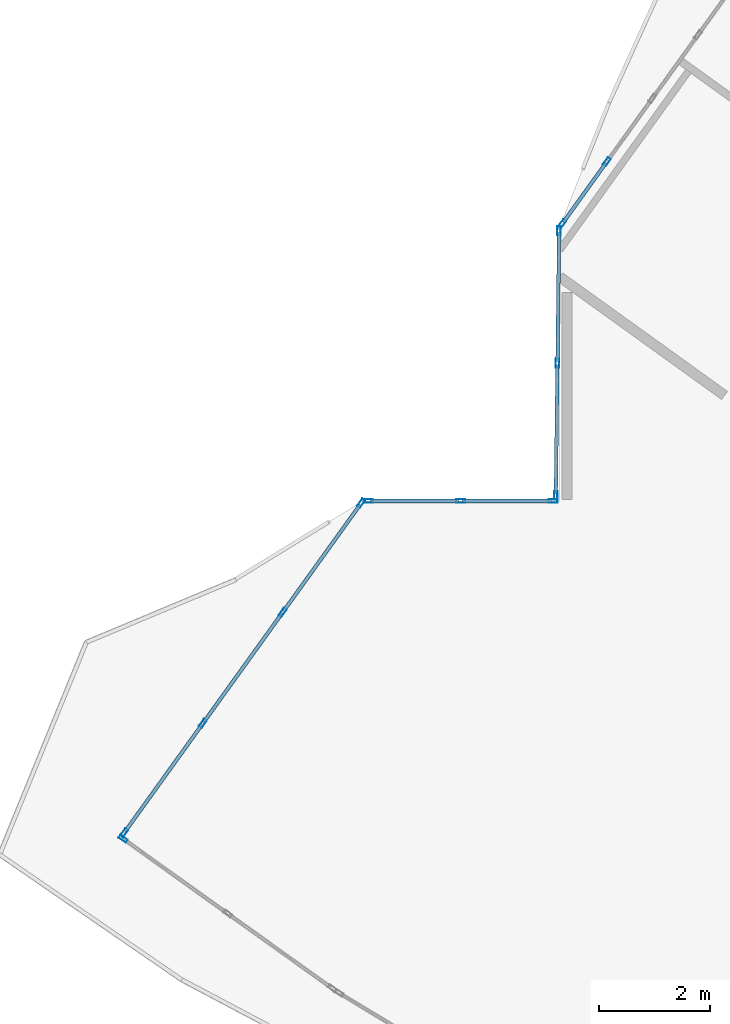
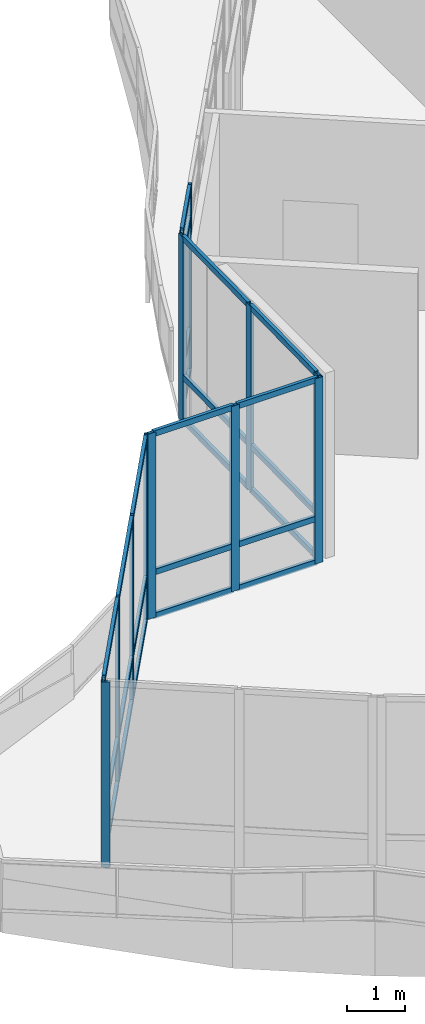
# One storey, part 16 of 184: 38 members, 5 elements without a shape of their own.
"""IFC4 building model written with IfcOpenShell, lengths in metres."""

import ifcopenshell
import ifcopenshell.guid

model = None  # the IFC model being written
_history = None  # IfcOwnerHistory: only IFC2X3 demands one
_inside = {}  # id of a spatial element -> (the spatial element, [elements in it])
_under = {}  # id of a project, library or spatial element -> (it, [spatial elements below it])
_declared = {}  # id of a project -> (the project, [libraries it declares])
_typed = {}  # id of a type object -> (the type object, [elements of that type])
_made_of = {}  # id of a material, layer set ... -> (it, [elements and type objects made of it])


def new_model(schema):
    """Start an empty IFC model of exactly this schema.

    Asked for "IFC4X3", IfcOpenShell would pick the latest addendum, in which some entities
    have other attributes; the version numbers below select the first issue.
    IFC2X3 requires an IfcOwnerHistory on every rooted entity: one is made here for all.
    """
    global model, _history
    if schema == "IFC4X3":
        model = ifcopenshell.file(schema_version=(4, 3, 0, 0))
    else:
        model = ifcopenshell.file(schema=schema)
    _inside.clear()
    _under.clear()
    _declared.clear()
    _typed.clear()
    _made_of.clear()
    _history = None
    if model.schema == "IFC2X3":
        org = make("IfcOrganization", Name="unknown")
        user = make(
            "IfcPersonAndOrganization",
            ThePerson=make("IfcPerson", FamilyName="unknown"),
            TheOrganization=org,
        )
        app = make(
            "IfcApplication",
            ApplicationDeveloper=org,
            Version="unknown",
            ApplicationFullName="unknown",
            ApplicationIdentifier="unknown",
        )
        _history = make(
            "IfcOwnerHistory",
            OwningUser=user,
            OwningApplication=app,
            ChangeAction="ADDED",
            CreationDate=0,
        )
    return model


def make(cls, **values):
    """One entity of the class cls with the attributes given. An attribute that is None is left unset."""
    return model.create_entity(
        cls, **{name: value for name, value in values.items() if value is not None}
    )


def rooted(cls, **values):
    """An entity with a GlobalId (a new one), such as an element, a storey or a relation."""
    return make(cls, GlobalId=ifcopenshell.guid.new(), OwnerHistory=_history, **values)


def si_unit(unit_type, name, prefix=None):
    """IfcSIUnit, for example si_unit("LENGTHUNIT", "METRE", prefix="MILLI")."""
    return make("IfcSIUnit", UnitType=unit_type, Prefix=prefix, Name=name)


def assignment(units):
    """IfcUnitAssignment: the units of a project."""
    return None if units is None else make("IfcUnitAssignment", Units=units)


def point(xyz):
    """IfcCartesianPoint."""
    return None if xyz is None else make("IfcCartesianPoint", Coordinates=xyz)


def direction(xyz):
    """IfcDirection."""
    return None if xyz is None else make("IfcDirection", DirectionRatios=xyz)


def frame(location, z_axis=None, x_axis=None):
    """IfcAxis2Placement3D, a coordinate frame: its origin and axes. An axis left out is left unset."""
    return make(
        "IfcAxis2Placement3D",
        Location=point(location),
        Axis=direction(z_axis),
        RefDirection=direction(x_axis),
    )


def frame_2d(location, x_axis=None):
    """IfcAxis2Placement2D, a coordinate frame in the plane: its origin and x axis."""
    return make(
        "IfcAxis2Placement2D", Location=point(location), RefDirection=direction(x_axis)
    )


def origin():
    """The frame at (0, 0, 0) with its axes left unset."""
    return frame((0.0, 0.0, 0.0))


def origin_2d():
    """The frame at (0, 0) in the plane with its x axis left unset."""
    return frame_2d((0.0, 0.0))


def place(relative_to, where):
    """IfcLocalPlacement: puts the frame where relative to a parent placement (None: the world)."""
    return make(
        "IfcLocalPlacement", PlacementRelTo=relative_to, RelativePlacement=where
    )


def context(
    kind, dimensions, precision=None, world=None, true_north=None, identifier=None
):
    """IfcGeometricRepresentationContext, for example the 3D "Model" context."""
    return make(
        "IfcGeometricRepresentationContext",
        ContextIdentifier=identifier,
        ContextType=kind,
        CoordinateSpaceDimension=dimensions,
        Precision=precision,
        WorldCoordinateSystem=world,
        TrueNorth=true_north,
    )


def subcontext(parent, identifier, kind, view, scale=None):
    """IfcGeometricRepresentationSubContext, for example "Body" below "Model"."""
    return make(
        "IfcGeometricRepresentationSubContext",
        ContextIdentifier=identifier,
        ContextType=kind,
        ParentContext=parent,
        TargetScale=scale,
        TargetView=view,
    )


def project(units=None, contexts=None):
    """IfcProject with its units and contexts."""
    return rooted(
        "IfcProject",
        Name="project",
        RepresentationContexts=contexts,
        UnitsInContext=assignment(units),
    )


def spatial(cls, under=None, at=None, **own):
    """A site, building, storey or space (cls), placed at a placement, below another one or the project."""
    s = rooted(cls, ObjectPlacement=at, **own)
    if under is not None:
        _under.setdefault(under.id(), (under, []))[1].append(s)
    return s


def profile(cls, at=None, kind="AREA", **sizes):
    """A parametric profile (cls). Its sizes go by their IFC names, for example OverallWidth=200.0."""
    return make(cls, ProfileType=kind, Position=at, **sizes)


def hollow_rectangle(**sizes):
    """IfcRectangleHollowProfileDef."""
    return profile("IfcRectangleHollowProfileDef", **sizes)


def extrude(swept, where, along, depth):
    """IfcExtrudedAreaSolid: the profile swept, set in the frame where, extruded along a direction by depth."""
    return make(
        "IfcExtrudedAreaSolid",
        SweptArea=swept,
        Position=where,
        ExtrudedDirection=direction(along),
        Depth=depth,
    )


def shape(context_of_items, identifier, shape_type, items):
    """IfcShapeRepresentation: the items that make up one representation, for example the "Body"."""
    return make(
        "IfcShapeRepresentation",
        ContextOfItems=context_of_items,
        RepresentationIdentifier=identifier,
        RepresentationType=shape_type,
        Items=items,
    )


def material(Name=None, Category=None):
    """IfcMaterial."""
    return make("IfcMaterial", Name=Name, Category=Category)


def material_profile(
    of_material, cross_section, Name=None, Category=None, Priority=None
):
    """IfcMaterialProfile: a cross section and its material."""
    return make(
        "IfcMaterialProfile",
        Name=Name,
        Material=of_material,
        Profile=cross_section,
        Priority=Priority,
        Category=Category,
    )


def profile_set(profiles, Name=None, composite=None):
    """IfcMaterialProfileSet."""
    return make(
        "IfcMaterialProfileSet",
        Name=Name,
        MaterialProfiles=profiles,
        CompositeProfile=composite,
    )


def made_of(thing, what):
    """Note that an element or type object is made of a material, layer set ...; save() writes the relation."""
    if what is not None:
        _made_of.setdefault(what.id(), (what, []))[1].append(thing)
    return thing


def type_object(cls, material=None, **own):
    """A type object (cls), such as IfcWallType, which elements share."""
    return made_of(rooted(cls, **own), material)


def element(
    cls,
    number,
    at=None,
    inside=None,
    cuts=None,
    type_object=None,
    material=None,
    context=None,
    identifier="Body",
    shape_type=None,
    held_by="IfcProductDefinitionShape",
    body=None,
    shapes=None,
    **own,
):
    """One element of the class cls, such as IfcWall. Its Tag is "e" and its number.

    at: its placement. inside: the storey or other place that contains it. cuts: it is an
    opening in that element (IfcRelVoidsElement). A single representation is given by context,
    identifier, shape_type and body (its items); several are given by shapes. held_by: the class
    of the entity that holds the representations. save() writes the other relations.
    """
    e = rooted(cls, Tag="e%d" % number, ObjectPlacement=at, **own)
    if body is not None:
        shapes = [shape(context, identifier, shape_type, body)]
    if shapes is not None:
        e.Representation = make(held_by, Representations=shapes)
    if inside is not None:
        _inside.setdefault(inside.id(), (inside, []))[1].append(e)
    if cuts is not None:
        rooted(
            "IfcRelVoidsElement", RelatingBuildingElement=cuts, RelatedOpeningElement=e
        )
    if type_object is not None:
        _typed.setdefault(type_object.id(), (type_object, []))[1].append(e)
    return made_of(e, material)


def aggregate(whole, parts):
    """IfcRelAggregates: a whole, such as a stair, and the parts it consists of."""
    return rooted("IfcRelAggregates", RelatingObject=whole, RelatedObjects=parts)


def save(model, path):
    """Write the relations noted so far, then the file.

    IfcRelAggregates (storeys below a building ...), IfcRelContainedInSpatialStructure (elements
    in a storey), IfcRelDefinesByType, IfcRelAssociatesMaterial and IfcRelDeclares: one each for
    every whole, place, type object, material and project.
    """
    for whole, parts in _under.values():
        aggregate(whole, parts)
    for where, things in _inside.values():
        rooted(
            "IfcRelContainedInSpatialStructure",
            RelatedElements=things,
            RelatingStructure=where,
        )
    for kind, things in _typed.values():
        rooted("IfcRelDefinesByType", RelatedObjects=things, RelatingType=kind)
    for what, things in _made_of.values():
        rooted("IfcRelAssociatesMaterial", RelatedObjects=things, RelatingMaterial=what)
    for by, libraries in _declared.values():
        rooted("IfcRelDeclares", RelatingContext=by, RelatedDefinitions=libraries)
    model.write(path)


model = new_model("IFC4")

# Units and contexts
model_context = context("Model", 3, precision=1e-05, world=origin(), true_north=direction((0.0, 1.0)))
body_context = subcontext(model_context, "Body", "Model", "MODEL_VIEW")
ifc_project = project(units=[si_unit("LENGTHUNIT", "METRE"), si_unit("AREAUNIT", "SQUARE_METRE"), si_unit("VOLUMEUNIT", "CUBIC_METRE"), si_unit("PLANEANGLEUNIT", "RADIAN"), si_unit("MASSUNIT", "GRAM", prefix="KILO")], contexts=[model_context])

# Site, building, storey
site_placement = place(None, origin())
site = spatial("IfcSite", under=ifc_project, at=site_placement, CompositionType="ELEMENT")
building_placement = place(site_placement, origin())
building = spatial("IfcBuilding", under=site, at=building_placement, Name="Selatvlak General Hospital", CompositionType="ELEMENT")
storey_placement = place(building_placement, frame((0.0, 0.0, 15.0)))
storey = spatial("IfcBuildingStorey", under=building, at=storey_placement, Name="L03", CompositionType="ELEMENT", Elevation=15.0)

# Curtain wall, member
ifc_material_1 = material(Name="Solar-control Low-E double glazing", Category="glass")
curtain_wall_type_1 = type_object("IfcCurtainWallType", Name="CW-CW-01", PredefinedType="USERDEFINED", material=ifc_material_1)
curtain_wall_1_placement = place(storey_placement, origin())
curtain_wall_1 = element("IfcCurtainWall", 1, at=curtain_wall_1_placement, inside=storey, type_object=curtain_wall_type_1, Name="Glazed facade curtain wall CW-L03-0435", ObjectType="UNITISED CURTAIN WALL", PredefinedType="USERDEFINED")
ifc_material_2 = material(Name="Dark anodised aluminium mullion", Category="aluminium")
ifc_material_profile_1 = material_profile(ifc_material_2, hollow_rectangle(XDim=0.06494140625, YDim=0.159912109375, WallThickness=0.00390625, at=origin_2d()), Name="AL-MUL 65x160x4")
ifc_profile_set_1 = profile_set([ifc_material_profile_1], Name="Dark anodised aluminium mullion")
member_type_1 = type_object("IfcMemberType", Name="CWM-01", PredefinedType="MULLION", material=ifc_profile_set_1)
member_1_placement = place(storey_placement, frame((14.95849609375, 25.923095703125, 0.0), z_axis=(0.0, 0.0, 1.0), x_axis=(-0.581802726189, -0.813329937847, 0.0)))
member_1 = element("IfcMember", 2, at=member_1_placement, type_object=member_type_1, Name="CW-01 mullion 3", PredefinedType="MULLION", context=body_context, shape_type="SweptSolid", body=[
    extrude(hollow_rectangle(XDim=0.06494140625, YDim=0.159912109375, WallThickness=0.00390625, at=origin_2d()), origin(), (0.0, 0.0, 1.0), 3.89501953125),
])
aggregate(curtain_wall_1, [member_1])

# Curtain wall, members
curtain_wall_type_2 = type_object("IfcCurtainWallType", Name="CW-CW-02", PredefinedType="USERDEFINED", material=ifc_material_1)
curtain_wall_2_placement = place(storey_placement, origin())
curtain_wall_2 = element("IfcCurtainWall", 3, at=curtain_wall_2_placement, inside=storey, type_object=curtain_wall_type_2, Name="Glazed facade curtain wall CW-L03-0436", ObjectType="UNITISED CURTAIN WALL", PredefinedType="USERDEFINED")
member_2_placement = place(storey_placement, frame((14.97705078125, 26.0302734375, 0.0), z_axis=(0.0, 0.0, 1.0), x_axis=(-0.811904820414, 0.583789827411, 0.0)))
member_2 = element("IfcMember", 4, at=member_2_placement, type_object=member_type_1, Name="CW-02 mullion 1", PredefinedType="MULLION", context=body_context, shape_type="SweptSolid", body=[
    extrude(hollow_rectangle(XDim=0.06494140625, YDim=0.159912109375, WallThickness=0.00390625, at=origin_2d()), origin(), (0.0, 0.0, 1.0), 3.89501953125),
])
member_3_placement = place(storey_placement, frame((16.39208984375, 27.998291015625, 0.0), z_axis=(0.0, 0.0, 1.0), x_axis=(-0.811904820414, 0.583789827411, 0.0)))
member_3 = element("IfcMember", 5, at=member_3_placement, type_object=member_type_1, Name="CW-02 mullion 2", PredefinedType="MULLION", context=body_context, shape_type="SweptSolid", body=[
    extrude(hollow_rectangle(XDim=0.06494140625, YDim=0.159912109375, WallThickness=0.00390625, at=origin_2d()), origin(), (0.0, 0.0, 1.0), 3.89501953125),
])
member_4_placement = place(storey_placement, frame((17.825927734375, 29.99267578125, 0.0), z_axis=(0.0, 0.0, 1.0), x_axis=(-0.811904820414, 0.583789827411, 0.0)))
member_4 = element("IfcMember", 6, at=member_4_placement, type_object=member_type_1, Name="CW-02 mullion 3", PredefinedType="MULLION", context=body_context, shape_type="SweptSolid", body=[
    extrude(hollow_rectangle(XDim=0.06494140625, YDim=0.159912109375, WallThickness=0.00390625, at=origin_2d()), origin(), (0.0, 0.0, 1.0), 3.89501953125),
])
member_5_placement = place(storey_placement, frame((19.240966796875, 31.960693359375, 0.0), z_axis=(0.0, 0.0, 1.0), x_axis=(-0.811904820414, 0.583789827411, 0.0)))
member_5 = element("IfcMember", 7, at=member_5_placement, type_object=member_type_1, Name="CW-02 mullion 4", PredefinedType="MULLION", context=body_context, shape_type="SweptSolid", body=[
    extrude(hollow_rectangle(XDim=0.06494140625, YDim=0.159912109375, WallThickness=0.00390625, at=origin_2d()), origin(), (0.0, 0.0, 1.0), 3.89501953125),
])

curtain_wall_3_placement = place(storey_placement, origin())
curtain_wall_3 = element("IfcCurtainWall", 8, at=curtain_wall_3_placement, inside=storey, type_object=curtain_wall_type_1, Name="Glazed facade curtain wall CW-L03-0437", ObjectType="UNITISED CURTAIN WALL", PredefinedType="USERDEFINED")
member_6_placement = place(storey_placement, frame((19.366455078125, 31.9990234375, 0.0), z_axis=(0.0, 0.0, 1.0), x_axis=(-0.000294898244, 0.999999956518, 0.0)))
member_6 = element("IfcMember", 9, at=member_6_placement, type_object=member_type_1, Name="CW-01 mullion 1", PredefinedType="MULLION", context=body_context, shape_type="SweptSolid", body=[
    extrude(hollow_rectangle(XDim=0.06494140625, YDim=0.159912109375, WallThickness=0.00390625, at=origin_2d()), origin(), (0.0, 0.0, 1.0), 3.89501953125),
])
member_7_placement = place(storey_placement, frame((21.029541015625, 31.99951171875, 0.0), z_axis=(0.0, 0.0, 1.0), x_axis=(-0.000294898244, 0.999999956518, 0.0)))
member_7 = element("IfcMember", 10, at=member_7_placement, type_object=member_type_1, Name="CW-01 mullion 2", PredefinedType="MULLION", context=body_context, shape_type="SweptSolid", body=[
    extrude(hollow_rectangle(XDim=0.06494140625, YDim=0.159912109375, WallThickness=0.00390625, at=origin_2d()), origin(), (0.0, 0.0, 1.0), 3.89501953125),
])
member_8_placement = place(storey_placement, frame((22.6923828125, 32.0, 0.0), z_axis=(0.0, 0.0, 1.0), x_axis=(-0.000294898244, 0.999999956518, 0.0)))
member_8 = element("IfcMember", 11, at=member_8_placement, type_object=member_type_1, Name="CW-01 mullion 3", PredefinedType="MULLION", context=body_context, shape_type="SweptSolid", body=[
    extrude(hollow_rectangle(XDim=0.06494140625, YDim=0.159912109375, WallThickness=0.00390625, at=origin_2d()), origin(), (0.0, 0.0, 1.0), 3.89501953125),
])

curtain_wall_4_placement = place(storey_placement, origin())
curtain_wall_4 = element("IfcCurtainWall", 12, at=curtain_wall_4_placement, inside=storey, type_object=curtain_wall_type_2, Name="Glazed facade curtain wall CW-L03-0438", ObjectType="UNITISED CURTAIN WALL", PredefinedType="USERDEFINED")
member_9_placement = place(storey_placement, frame((22.741455078125, 32.097412109375, 0.0), z_axis=(0.0, 0.0, 1.0), x_axis=(-0.999925308571, 0.012221999835, 0.0)))
member_9 = element("IfcMember", 13, at=member_9_placement, type_object=member_type_1, Name="CW-02 mullion 1", PredefinedType="MULLION", context=body_context, shape_type="SweptSolid", body=[
    extrude(hollow_rectangle(XDim=0.06494140625, YDim=0.159912109375, WallThickness=0.00390625, at=origin_2d()), origin(), (0.0, 0.0, 1.0), 3.89501953125),
])
member_10_placement = place(storey_placement, frame((22.7705078125, 34.478515625, 0.0), z_axis=(0.0, 0.0, 1.0), x_axis=(-0.999925308571, 0.012221999835, 0.0)))
member_10 = element("IfcMember", 14, at=member_10_placement, type_object=member_type_1, Name="CW-02 mullion 2", PredefinedType="MULLION", context=body_context, shape_type="SweptSolid", body=[
    extrude(hollow_rectangle(XDim=0.06494140625, YDim=0.159912109375, WallThickness=0.00390625, at=origin_2d()), origin(), (0.0, 0.0, 1.0), 3.89501953125),
])
member_11_placement = place(storey_placement, frame((22.799560546875, 36.859619140625, 0.0), z_axis=(0.0, 0.0, 1.0), x_axis=(-0.999925308571, 0.012221999835, 0.0)))
member_11 = element("IfcMember", 15, at=member_11_placement, type_object=member_type_1, Name="CW-02 mullion 3", PredefinedType="MULLION", context=body_context, shape_type="SweptSolid", body=[
    extrude(hollow_rectangle(XDim=0.06494140625, YDim=0.159912109375, WallThickness=0.00390625, at=origin_2d()), origin(), (0.0, 0.0, 1.0), 3.89501953125),
])

curtain_wall_5_placement = place(storey_placement, origin())
curtain_wall_5 = element("IfcCurtainWall", 16, at=curtain_wall_5_placement, inside=storey, type_object=curtain_wall_type_1, Name="Glazed facade curtain wall CW-L03-0440", ObjectType="UNITISED CURTAIN WALL", PredefinedType="USERDEFINED")
member_12_placement = place(storey_placement, frame((22.85693359375, 36.986328125, 0.0), z_axis=(0.0, 0.0, 1.0), x_axis=(-0.81180439095, 0.583929474196, 0.0)))
member_12 = element("IfcMember", 17, at=member_12_placement, type_object=member_type_1, Name="CW-01 mullion 1", PredefinedType="MULLION", context=body_context, shape_type="SweptSolid", body=[
    extrude(hollow_rectangle(XDim=0.06494140625, YDim=0.159912109375, WallThickness=0.00390625, at=origin_2d()), origin(), (0.0, 0.0, 1.0), 3.89501953125),
])
member_13_placement = place(storey_placement, frame((23.657958984375, 38.10009765625, 0.0), z_axis=(0.0, 0.0, 1.0), x_axis=(-0.81180439095, 0.583929474196, 0.0)))
member_13 = element("IfcMember", 18, at=member_13_placement, type_object=member_type_1, Name="CW-01 mullion 2", PredefinedType="MULLION", context=body_context, shape_type="SweptSolid", body=[
    extrude(hollow_rectangle(XDim=0.06494140625, YDim=0.159912109375, WallThickness=0.00390625, at=origin_2d()), origin(), (0.0, 0.0, 1.0), 3.89501953125),
])

# Member
ifc_material_profile_2 = material_profile(ifc_material_2, hollow_rectangle(XDim=0.06494140625, YDim=0.1201171875, WallThickness=0.00390625, at=origin_2d()), Name="AL-TRN 65x120x4")
ifc_profile_set_2 = profile_set([ifc_material_profile_2], Name="Dark anodised aluminium mullion")
member_type_2 = type_object("IfcMemberType", Name="CWT-01", PredefinedType="USERDEFINED", material=ifc_profile_set_2)
member_14_placement = place(storey_placement, frame((14.995849609375, 26.056884765625, 0.032470703125), z_axis=(0.583849294789, 0.811862057849, 0.0), x_axis=(-0.811862057849, 0.583849294789, 0.0)))
member_14 = element("IfcMember", 19, at=member_14_placement, type_object=member_type_2, Name="CW-02 transom 1.1", ObjectType="TRANSOM", PredefinedType="USERDEFINED", context=body_context, shape_type="SweptSolid", body=[
    extrude(hollow_rectangle(XDim=0.06494140625, YDim=0.1201171875, WallThickness=0.00390625, at=origin_2d()), origin(), (0.0, 0.0, 1.0), 2.35888671875),
])

member_15_placement = place(storey_placement, frame((14.995849609375, 26.056884765625, 0.949951171875), z_axis=(0.583849294789, 0.811862057849, 0.0), x_axis=(-0.811862057849, 0.583849294789, 0.0)))
member_15 = element("IfcMember", 20, at=member_15_placement, type_object=member_type_2, Name="CW-02 transom 1.2", ObjectType="TRANSOM", PredefinedType="USERDEFINED", context=body_context, shape_type="SweptSolid", body=[
    extrude(hollow_rectangle(XDim=0.06494140625, YDim=0.1201171875, WallThickness=0.00390625, at=origin_2d()), origin(), (0.0, 0.0, 1.0), 2.35888671875),
])

member_16_placement = place(storey_placement, frame((14.995849609375, 26.056884765625, 3.862548828125), z_axis=(0.583849294789, 0.811862057849, 0.0), x_axis=(-0.811862057849, 0.583849294789, 0.0)))
member_16 = element("IfcMember", 21, at=member_16_placement, type_object=member_type_2, Name="CW-02 transom 1.3", ObjectType="TRANSOM", PredefinedType="USERDEFINED", context=body_context, shape_type="SweptSolid", body=[
    extrude(hollow_rectangle(XDim=0.06494140625, YDim=0.1201171875, WallThickness=0.00390625, at=origin_2d()), origin(), (0.0, 0.0, 1.0), 2.35888671875),
])

member_17_placement = place(storey_placement, frame((16.410888671875, 28.024658203125, 0.032470703125), z_axis=(0.583823242974, 0.811880792336, 0.0), x_axis=(-0.811880792336, 0.583823242974, 0.0)))
member_17 = element("IfcMember", 22, at=member_17_placement, type_object=member_type_2, Name="CW-02 transom 2.1", ObjectType="TRANSOM", PredefinedType="USERDEFINED", context=body_context, shape_type="SweptSolid", body=[
    extrude(hollow_rectangle(XDim=0.06494140625, YDim=0.1201171875, WallThickness=0.00390625, at=origin_2d()), origin(), (0.0, 0.0, 1.0), 2.3916015625),
])

member_18_placement = place(storey_placement, frame((16.410888671875, 28.024658203125, 0.949951171875), z_axis=(0.583823242974, 0.811880792336, 0.0), x_axis=(-0.811880792336, 0.583823242974, 0.0)))
member_18 = element("IfcMember", 23, at=member_18_placement, type_object=member_type_2, Name="CW-02 transom 2.2", ObjectType="TRANSOM", PredefinedType="USERDEFINED", context=body_context, shape_type="SweptSolid", body=[
    extrude(hollow_rectangle(XDim=0.06494140625, YDim=0.1201171875, WallThickness=0.00390625, at=origin_2d()), origin(), (0.0, 0.0, 1.0), 2.3916015625),
])

member_19_placement = place(storey_placement, frame((16.410888671875, 28.024658203125, 3.862548828125), z_axis=(0.583823242974, 0.811880792336, 0.0), x_axis=(-0.811880792336, 0.583823242974, 0.0)))
member_19 = element("IfcMember", 24, at=member_19_placement, type_object=member_type_2, Name="CW-02 transom 2.3", ObjectType="TRANSOM", PredefinedType="USERDEFINED", context=body_context, shape_type="SweptSolid", body=[
    extrude(hollow_rectangle(XDim=0.06494140625, YDim=0.1201171875, WallThickness=0.00390625, at=origin_2d()), origin(), (0.0, 0.0, 1.0), 2.3916015625),
])

member_20_placement = place(storey_placement, frame((17.844970703125, 30.01904296875, 0.032470703125), z_axis=(0.583800237832, 0.811897334832, 0.0), x_axis=(-0.811897334832, 0.583800237832, 0.0)))
member_20 = element("IfcMember", 25, at=member_20_placement, type_object=member_type_2, Name="CW-02 transom 3.1", ObjectType="TRANSOM", PredefinedType="USERDEFINED", context=body_context, shape_type="SweptSolid", body=[
    extrude(hollow_rectangle(XDim=0.06494140625, YDim=0.1201171875, WallThickness=0.00390625, at=origin_2d()), origin(), (0.0, 0.0, 1.0), 2.359130859375),
])

member_21_placement = place(storey_placement, frame((17.844970703125, 30.01904296875, 0.949951171875), z_axis=(0.583800237832, 0.811897334832, 0.0), x_axis=(-0.811897334832, 0.583800237832, 0.0)))
member_21 = element("IfcMember", 26, at=member_21_placement, type_object=member_type_2, Name="CW-02 transom 3.2", ObjectType="TRANSOM", PredefinedType="USERDEFINED", context=body_context, shape_type="SweptSolid", body=[
    extrude(hollow_rectangle(XDim=0.06494140625, YDim=0.1201171875, WallThickness=0.00390625, at=origin_2d()), origin(), (0.0, 0.0, 1.0), 2.359130859375),
])

member_22_placement = place(storey_placement, frame((17.844970703125, 30.01904296875, 3.862548828125), z_axis=(0.583800237832, 0.811897334832, 0.0), x_axis=(-0.811897334832, 0.583800237832, 0.0)))
member_22 = element("IfcMember", 27, at=member_22_placement, type_object=member_type_2, Name="CW-02 transom 3.3", ObjectType="TRANSOM", PredefinedType="USERDEFINED", context=body_context, shape_type="SweptSolid", body=[
    extrude(hollow_rectangle(XDim=0.06494140625, YDim=0.1201171875, WallThickness=0.00390625, at=origin_2d()), origin(), (0.0, 0.0, 1.0), 2.359130859375),
])

aggregate(curtain_wall_2, [member_2, member_3, member_4, member_5, member_14, member_15, member_16, member_17, member_18, member_19, member_20, member_21, member_22])

member_23_placement = place(storey_placement, frame((19.39892578125, 31.9990234375, 0.032470703125), z_axis=(0.999999953326, 0.00030553008, 0.0), x_axis=(-0.00030553008, 0.999999953326, 0.0)))
member_23 = element("IfcMember", 28, at=member_23_placement, type_object=member_type_2, Name="CW-01 transom 1.1", ObjectType="TRANSOM", PredefinedType="USERDEFINED", context=body_context, shape_type="SweptSolid", body=[
    extrude(hollow_rectangle(XDim=0.06494140625, YDim=0.1201171875, WallThickness=0.00390625, at=origin_2d()), origin(), (0.0, 0.0, 1.0), 1.59814453125),
])

member_24_placement = place(storey_placement, frame((19.39892578125, 31.9990234375, 0.949951171875), z_axis=(0.999999953326, 0.00030553008, 0.0), x_axis=(-0.00030553008, 0.999999953326, 0.0)))
member_24 = element("IfcMember", 29, at=member_24_placement, type_object=member_type_2, Name="CW-01 transom 1.2", ObjectType="TRANSOM", PredefinedType="USERDEFINED", context=body_context, shape_type="SweptSolid", body=[
    extrude(hollow_rectangle(XDim=0.06494140625, YDim=0.1201171875, WallThickness=0.00390625, at=origin_2d()), origin(), (0.0, 0.0, 1.0), 1.59814453125),
])

member_25_placement = place(storey_placement, frame((19.39892578125, 31.9990234375, 3.862548828125), z_axis=(0.999999953326, 0.00030553008, 0.0), x_axis=(-0.00030553008, 0.999999953326, 0.0)))
member_25 = element("IfcMember", 30, at=member_25_placement, type_object=member_type_2, Name="CW-01 transom 1.3", ObjectType="TRANSOM", PredefinedType="USERDEFINED", context=body_context, shape_type="SweptSolid", body=[
    extrude(hollow_rectangle(XDim=0.06494140625, YDim=0.1201171875, WallThickness=0.00390625, at=origin_2d()), origin(), (0.0, 0.0, 1.0), 1.59814453125),
])

member_26_placement = place(storey_placement, frame((21.06201171875, 31.99951171875, 0.032470703125), z_axis=(0.999999953311, 0.000305576762, 0.0), x_axis=(-0.000305576762, 0.999999953311, 0.0)))
member_26 = element("IfcMember", 31, at=member_26_placement, type_object=member_type_2, Name="CW-01 transom 2.1", ObjectType="TRANSOM", PredefinedType="USERDEFINED", context=body_context, shape_type="SweptSolid", body=[
    extrude(hollow_rectangle(XDim=0.06494140625, YDim=0.1201171875, WallThickness=0.00390625, at=origin_2d()), origin(), (0.0, 0.0, 1.0), 1.597900390625),
])

member_27_placement = place(storey_placement, frame((21.06201171875, 31.99951171875, 0.949951171875), z_axis=(0.999999953311, 0.000305576762, 0.0), x_axis=(-0.000305576762, 0.999999953311, 0.0)))
member_27 = element("IfcMember", 32, at=member_27_placement, type_object=member_type_2, Name="CW-01 transom 2.2", ObjectType="TRANSOM", PredefinedType="USERDEFINED", context=body_context, shape_type="SweptSolid", body=[
    extrude(hollow_rectangle(XDim=0.06494140625, YDim=0.1201171875, WallThickness=0.00390625, at=origin_2d()), origin(), (0.0, 0.0, 1.0), 1.597900390625),
])

member_28_placement = place(storey_placement, frame((21.06201171875, 31.99951171875, 3.862548828125), z_axis=(0.999999953311, 0.000305576762, 0.0), x_axis=(-0.000305576762, 0.999999953311, 0.0)))
member_28 = element("IfcMember", 33, at=member_28_placement, type_object=member_type_2, Name="CW-01 transom 2.3", ObjectType="TRANSOM", PredefinedType="USERDEFINED", context=body_context, shape_type="SweptSolid", body=[
    extrude(hollow_rectangle(XDim=0.06494140625, YDim=0.1201171875, WallThickness=0.00390625, at=origin_2d()), origin(), (0.0, 0.0, 1.0), 1.597900390625),
])

aggregate(curtain_wall_3, [member_6, member_7, member_8, member_23, member_24, member_25, member_26, member_27, member_28])

member_29_placement = place(storey_placement, frame((22.74169921875, 32.1298828125, 0.032470703125), z_axis=(0.012226344433, 0.999925255458, 0.0), x_axis=(-0.999925255458, 0.012226344433, 0.0)))
member_29 = element("IfcMember", 34, at=member_29_placement, type_object=member_type_2, Name="CW-02 transom 1.1", ObjectType="TRANSOM", PredefinedType="USERDEFINED", context=body_context, shape_type="SweptSolid", body=[
    extrude(hollow_rectangle(XDim=0.06494140625, YDim=0.1201171875, WallThickness=0.00390625, at=origin_2d()), origin(), (0.0, 0.0, 1.0), 2.31640625),
])

member_30_placement = place(storey_placement, frame((22.74169921875, 32.1298828125, 0.949951171875), z_axis=(0.012226344433, 0.999925255458, 0.0), x_axis=(-0.999925255458, 0.012226344433, 0.0)))
member_30 = element("IfcMember", 35, at=member_30_placement, type_object=member_type_2, Name="CW-02 transom 1.2", ObjectType="TRANSOM", PredefinedType="USERDEFINED", context=body_context, shape_type="SweptSolid", body=[
    extrude(hollow_rectangle(XDim=0.06494140625, YDim=0.1201171875, WallThickness=0.00390625, at=origin_2d()), origin(), (0.0, 0.0, 1.0), 2.31640625),
])

member_31_placement = place(storey_placement, frame((22.74169921875, 32.1298828125, 3.862548828125), z_axis=(0.012226344433, 0.999925255458, 0.0), x_axis=(-0.999925255458, 0.012226344433, 0.0)))
member_31 = element("IfcMember", 36, at=member_31_placement, type_object=member_type_2, Name="CW-02 transom 1.3", ObjectType="TRANSOM", PredefinedType="USERDEFINED", context=body_context, shape_type="SweptSolid", body=[
    extrude(hollow_rectangle(XDim=0.06494140625, YDim=0.1201171875, WallThickness=0.00390625, at=origin_2d()), origin(), (0.0, 0.0, 1.0), 2.31640625),
])

member_32_placement = place(storey_placement, frame((22.77099609375, 34.510986328125, 0.032470703125), z_axis=(0.012227633123, 0.9999252397, 0.0), x_axis=(-0.9999252397, 0.012227633123, 0.0)))
member_32 = element("IfcMember", 37, at=member_32_placement, type_object=member_type_2, Name="CW-02 transom 2.1", ObjectType="TRANSOM", PredefinedType="USERDEFINED", context=body_context, shape_type="SweptSolid", body=[
    extrude(hollow_rectangle(XDim=0.06494140625, YDim=0.1201171875, WallThickness=0.00390625, at=origin_2d()), origin(), (0.0, 0.0, 1.0), 2.316162109375),
])

member_33_placement = place(storey_placement, frame((22.77099609375, 34.510986328125, 0.949951171875), z_axis=(0.012227633123, 0.9999252397, 0.0), x_axis=(-0.9999252397, 0.012227633123, 0.0)))
member_33 = element("IfcMember", 38, at=member_33_placement, type_object=member_type_2, Name="CW-02 transom 2.2", ObjectType="TRANSOM", PredefinedType="USERDEFINED", context=body_context, shape_type="SweptSolid", body=[
    extrude(hollow_rectangle(XDim=0.06494140625, YDim=0.1201171875, WallThickness=0.00390625, at=origin_2d()), origin(), (0.0, 0.0, 1.0), 2.316162109375),
])

member_34_placement = place(storey_placement, frame((22.77099609375, 34.510986328125, 3.862548828125), z_axis=(0.012227633123, 0.9999252397, 0.0), x_axis=(-0.9999252397, 0.012227633123, 0.0)))
member_34 = element("IfcMember", 39, at=member_34_placement, type_object=member_type_2, Name="CW-02 transom 2.3", ObjectType="TRANSOM", PredefinedType="USERDEFINED", context=body_context, shape_type="SweptSolid", body=[
    extrude(hollow_rectangle(XDim=0.06494140625, YDim=0.1201171875, WallThickness=0.00390625, at=origin_2d()), origin(), (0.0, 0.0, 1.0), 2.316162109375),
])

aggregate(curtain_wall_4, [member_9, member_10, member_11, member_29, member_30, member_31, member_32, member_33, member_34])

member_35_placement = place(storey_placement, frame((22.8759765625, 37.0126953125, 0.032470703125), z_axis=(0.583797710583, 0.811899152062, 0.0), x_axis=(-0.811899152062, 0.583797710583, 0.0)))
member_35 = element("IfcMember", 40, at=member_35_placement, type_object=member_type_2, Name="CW-01 transom 1.1", ObjectType="TRANSOM", PredefinedType="USERDEFINED", context=body_context, shape_type="SweptSolid", body=[
    extrude(hollow_rectangle(XDim=0.06494140625, YDim=0.1201171875, WallThickness=0.00390625, at=origin_2d()), origin(), (0.0, 0.0, 1.0), 1.306884765625),
])

member_36_placement = place(storey_placement, frame((22.8759765625, 37.0126953125, 0.89990234375), z_axis=(0.583797710583, 0.811899152062, 0.0), x_axis=(-0.811899152062, 0.583797710583, 0.0)))
member_36 = element("IfcMember", 41, at=member_36_placement, type_object=member_type_2, Name="CW-01 transom 1.2", ObjectType="TRANSOM", PredefinedType="USERDEFINED", context=body_context, shape_type="SweptSolid", body=[
    extrude(hollow_rectangle(XDim=0.06494140625, YDim=0.1201171875, WallThickness=0.00390625, at=origin_2d()), origin(), (0.0, 0.0, 1.0), 1.306884765625),
])

member_37_placement = place(storey_placement, frame((22.8759765625, 37.0126953125, 3.2451171875), z_axis=(0.583797710583, 0.811899152062, 0.0), x_axis=(-0.811899152062, 0.583797710583, 0.0)))
member_37 = element("IfcMember", 42, at=member_37_placement, type_object=member_type_2, Name="CW-01 transom 1.3", ObjectType="TRANSOM", PredefinedType="USERDEFINED", context=body_context, shape_type="SweptSolid", body=[
    extrude(hollow_rectangle(XDim=0.06494140625, YDim=0.1201171875, WallThickness=0.00390625, at=origin_2d()), origin(), (0.0, 0.0, 1.0), 1.306884765625),
])

member_38_placement = place(storey_placement, frame((22.8759765625, 37.0126953125, 3.862548828125), z_axis=(0.583797710583, 0.811899152062, 0.0), x_axis=(-0.811899152062, 0.583797710583, 0.0)))
member_38 = element("IfcMember", 43, at=member_38_placement, type_object=member_type_2, Name="CW-01 transom 1.4", ObjectType="TRANSOM", PredefinedType="USERDEFINED", context=body_context, shape_type="SweptSolid", body=[
    extrude(hollow_rectangle(XDim=0.06494140625, YDim=0.1201171875, WallThickness=0.00390625, at=origin_2d()), origin(), (0.0, 0.0, 1.0), 1.306884765625),
])

aggregate(curtain_wall_5, [member_12, member_13, member_35, member_36, member_37, member_38])

save(model, "model.ifc")
